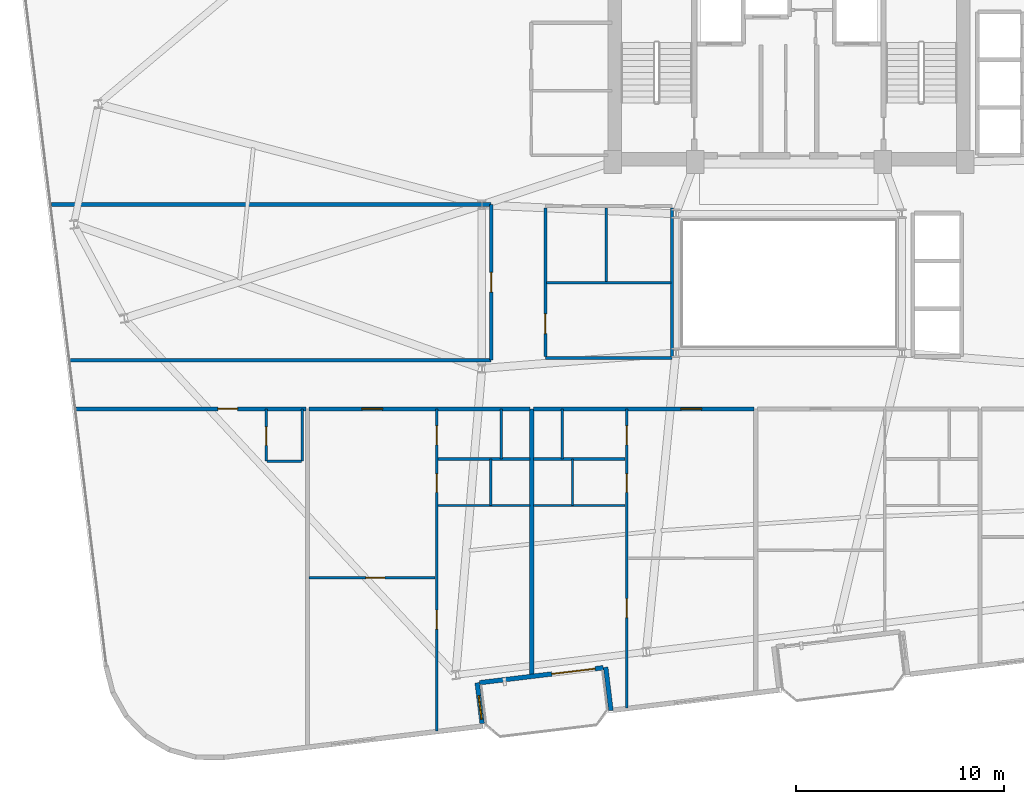
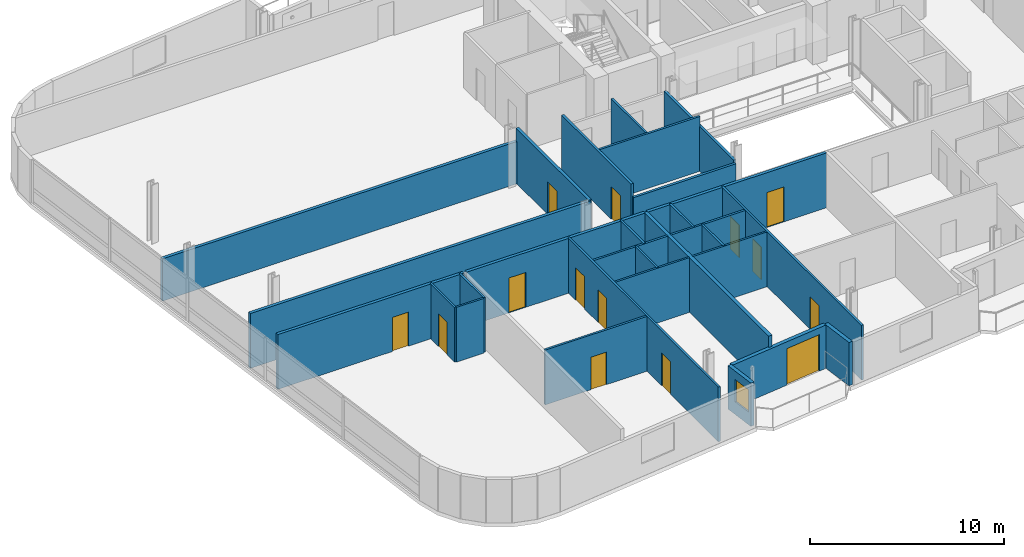
# One storey, part 14 of 23: 29 walls, 14 doors, 1 window, 15 openings.
"""IFC4 building model written with IfcOpenShell, lengths in metres."""

from ifc_helpers import new_model, si_unit, direction, frame, frame_2d, origin, place, context, subcontext, project, spatial, rectangle, extrude, material, layer, layer_set, type_object, element, fill, save


model = new_model("IFC4")

# Units and contexts
model_context = context("Model", 3, precision=1e-05, world=origin(), true_north=direction((0.0, 1.0)))
body_context = subcontext(model_context, "Body", "Model", "MODEL_VIEW")
ifc_project = project(units=[si_unit("LENGTHUNIT", "METRE"), si_unit("AREAUNIT", "SQUARE_METRE"), si_unit("VOLUMEUNIT", "CUBIC_METRE"), si_unit("PLANEANGLEUNIT", "RADIAN"), si_unit("MASSUNIT", "GRAM", prefix="KILO")], contexts=[model_context])

# Site, building, storey
site_placement = place(None, origin())
site = spatial("IfcSite", under=ifc_project, at=site_placement, CompositionType="ELEMENT")
building_placement = place(site_placement, origin())
building = spatial("IfcBuilding", under=site, at=building_placement, Name="Varnelok Gate Tower", CompositionType="ELEMENT")
storey_placement = place(building_placement, frame((0.0, 0.0, 174.60009765625)))
storey = spatial("IfcBuildingStorey", under=building, at=storey_placement, Name="L44", CompositionType="ELEMENT", Elevation=174.60009765625)

# Wall, opening, door
ifc_material_1 = material(Name="Concrete C45/55", Category="concrete")
ifc_layer_1 = layer(ifc_material_1, 0.219970703125)
ifc_layer_set_1 = layer_set([ifc_layer_1], Name="Concrete C45/55")
wall_type_1 = type_object("IfcWallType", Name="EW-BALC-220", PredefinedType="SOLIDWALL", material=ifc_layer_set_1)
wall_1_placement = place(storey_placement, frame((30.25244140625, 4.381103515625, 0.0), z_axis=(0.0, 0.0, 1.0), x_axis=(-0.992735402148, -0.120318000826, 0.0)))
wall_1 = element("IfcWall", 1, at=wall_1_placement, inside=storey, type_object=wall_type_1, Name="L44 South Terrace Envelope Wall 1", PredefinedType="SOLIDWALL", context=body_context, shape_type="SweptSolid", body=[
    extrude(rectangle(XDim=6.000244140625, YDim=0.219970703125, at=frame_2d((3.0, 0.0))), origin(), (0.0, 0.0, 1.0), 2.72998046875),
])
opening_1_placement = place(wall_1_placement, frame((0.39990234375, 0.0, 0.0)))
opening_1 = element("IfcOpeningElement", 2, at=opening_1_placement, cuts=wall_1, Name="Opening BD-2", PredefinedType="OPENING", context=body_context, shape_type="SweptSolid", body=[
    extrude(rectangle(XDim=2.10009765625, YDim=2.300048828125, at=frame_2d((1.050048828125, 1.14990234375))), frame((0.0, 0.119873046875, 0.0), z_axis=(0.0, -1.0, 0.0), x_axis=(1.0, 0.0, 0.0)), (0.0, 0.0, 1.0), 0.239990234375),
])
ifc_material_2 = material(Name="Anodized Aluminum Alloy 6063-T6", Category="aluminium")
door_type_1 = type_object("IfcDoorType", Name="DR-EXT-SLID2100", OperationType="SLIDING_TO_LEFT", PredefinedType="DOOR", material=ifc_material_2)
door_1_placement = place(opening_1_placement, origin())
door_1 = element("IfcDoor", 3, at=door_1_placement, inside=storey, type_object=door_type_1, Name="L44 South Balcony Glazed Door 1", OperationType="SLIDING_TO_LEFT", OverallHeight=2.300048828125, OverallWidth=2.10009765625, PredefinedType="DOOR", context=body_context, shape_type="SweptSolid", body=[
    extrude(rectangle(XDim=2.10009765625, YDim=2.300048828125, at=frame_2d((1.050048828125, 1.14990234375))), frame((0.0, 0.02490234375, 0.0), z_axis=(0.0, -1.0, 0.0), x_axis=(1.0, 0.0, 0.0)), (0.0, 0.0, 1.0), 0.050048828125),
])
fill(opening_1, door_1)

# Wall, opening, window
wall_2_placement = place(storey_placement, frame((24.413330078125, 1.694091796875, 0.0), z_axis=(0.0, 0.0, 1.0), x_axis=(-0.120290754542, 0.992738703976, 0.0)))
wall_2 = element("IfcWall", 4, at=wall_2_placement, inside=storey, type_object=wall_type_1, Name="L44 Perimeter Facade Closure Wall 8", PredefinedType="SOLIDWALL", context=body_context, shape_type="SweptSolid", body=[
    extrude(rectangle(XDim=1.974853515625, YDim=0.219970703125, at=frame_2d((0.9873046875, 0.0))), origin(), (0.0, 0.0, 1.0), 2.72998046875),
])
opening_2_placement = place(wall_2_placement, frame((0.199951171875, 0.0, 0.800048828125)))
opening_2 = element("IfcOpeningElement", 5, at=opening_2_placement, cuts=wall_2, Name="Opening WN8", PredefinedType="OPENING", context=body_context, shape_type="SweptSolid", body=[
    extrude(rectangle(XDim=1.14990234375, YDim=1.39990234375, at=frame_2d((0.574951171875, 0.699951171875))), frame((0.0, 0.119873046875, 0.0), z_axis=(0.0, -1.0, 0.0), x_axis=(1.0, 0.0, 0.0)), (0.0, 0.0, 1.0), 0.239990234375),
])
ifc_material_3 = material(Name="Low-E Laminated Double Glazing IGU", Category="glass")
window_type = type_object("IfcWindowType", Name="WN-BED-1150", PartitioningType="SINGLE_PANEL", PredefinedType="WINDOW", material=ifc_material_3)
window_placement = place(opening_2_placement, origin())
window = element("IfcWindow", 6, at=window_placement, inside=storey, type_object=window_type, Name="L44 Bedroom Vision Window 23", OverallHeight=1.39990234375, OverallWidth=1.14990234375, PartitioningType="SINGLE_PANEL", PredefinedType="WINDOW", context=body_context, shape_type="SweptSolid", body=[
    extrude(rectangle(XDim=1.14990234375, YDim=1.39990234375, at=frame_2d((0.574951171875, 0.699951171875))), frame((0.0, 0.030029296875, 0.0), z_axis=(0.0, -1.0, 0.0), x_axis=(1.0, 0.0, 0.0)), (0.0, 0.0, 1.0), 0.06005859375),
])
fill(opening_2, window)

# Wall
wall_3_placement = place(storey_placement, frame((30.370361328125, 4.405517578125, 0.0), z_axis=(0.0, 0.0, 1.0), x_axis=(0.120327895535, -0.992734202874, 0.0)))
element("IfcWall", 7, at=wall_3_placement, inside=storey, type_object=wall_type_1, Name="L44 Perimeter Facade Closure Wall 9", PredefinedType="SOLIDWALL", context=body_context, shape_type="SweptSolid", body=[
    extrude(rectangle(XDim=2.099853515625, YDim=0.219970703125, at=frame_2d((1.0498046875, 0.0))), origin(), (0.0, 0.0, 1.0), 2.72998046875),
])

# Wall, opening, door
ifc_material_4 = material(Name="Gypsum Plasterboard Acoustic Partition", Category="gypsum")
ifc_layer_2 = layer(ifc_material_4, 0.179931640625)
ifc_layer_set_2 = layer_set([ifc_layer_2], Name="Gypsum Plasterboard Acoustic Partition")
wall_type_2 = type_object("IfcWallType", Name="PW-CORR-180", PredefinedType="PARTITIONING", material=ifc_layer_set_2)
wall_4_placement = place(storey_placement, frame((4.846923828125, 16.85009765625, 0.0), z_axis=(0.0, 0.0, 1.0), x_axis=(1.0, 0.0, 0.0)))
wall_4 = element("IfcWall", 8, at=wall_4_placement, inside=storey, type_object=wall_type_2, Name="Interior Partition", PredefinedType="PARTITIONING", context=body_context, shape_type="SweptSolid", body=[
    extrude(rectangle(XDim=11.072998046875, YDim=0.179931640625, at=frame_2d((5.53662109375, 0.0))), origin(), (0.0, 0.0, 1.0), 3.449951171875),
])
opening_3_placement = place(wall_4_placement, frame((6.8330078125, 0.0, 0.0)))
opening_3 = element("IfcOpeningElement", 9, at=opening_3_placement, cuts=wall_4, Name="Opening D-HT", PredefinedType="OPENING", context=body_context, shape_type="SweptSolid", body=[
    extrude(rectangle(XDim=0.949951171875, YDim=2.14990234375, at=frame_2d((0.47509765625, 1.074951171875))), frame((0.0, 0.099853515625, 0.0), z_axis=(0.0, -1.0, 0.0), x_axis=(1.0, 0.0, 0.0)), (0.0, 0.0, 1.0), 0.199951171875),
])
ifc_material_5 = material(Name="Engineered Hardwood Timber", Category="wood")
door_type_2 = type_object("IfcDoorType", Name="DR-HTL-950", OperationType="NOTDEFINED", PredefinedType="DOOR", material=ifc_material_5)
door_2_placement = place(opening_3_placement, origin())
door_2 = element("IfcDoor", 10, at=door_2_placement, inside=storey, type_object=door_type_2, Name="L44 Guest Room 01 Entrance Door", OperationType="SINGLE_SWING_RIGHT", OverallHeight=2.14990234375, OverallWidth=0.949951171875, PredefinedType="DOOR", context=body_context, shape_type="SweptSolid", body=[
    extrude(rectangle(XDim=0.949951171875, YDim=2.14990234375, at=frame_2d((0.47509765625, 1.074951171875))), frame((0.0, 0.02490234375, 0.0), z_axis=(0.0, -1.0, 0.0), x_axis=(1.0, 0.0, 0.0)), (0.0, 0.0, 1.0), 0.050048828125),
])
fill(opening_3, door_2)

wall_5_placement = place(storey_placement, frame((16.080078125, 16.85009765625, 0.0), z_axis=(0.0, 0.0, 1.0), x_axis=(1.0, 0.0, 0.0)))
wall_5 = element("IfcWall", 11, at=wall_5_placement, inside=storey, type_object=wall_type_2, Name="Interior Partition", PredefinedType="PARTITIONING", context=body_context, shape_type="SweptSolid", body=[
    extrude(rectangle(XDim=10.639892578125, YDim=0.179931640625, at=frame_2d((5.31982421875, 0.0))), origin(), (0.0, 0.0, 1.0), 3.449951171875),
])
opening_4_placement = place(wall_5_placement, frame((2.53466796875, 0.0, 0.0)))
opening_4 = element("IfcOpeningElement", 12, at=opening_4_placement, cuts=wall_5, Name="Opening D-AP", PredefinedType="OPENING", context=body_context, shape_type="SweptSolid", body=[
    extrude(rectangle(XDim=1.0, YDim=2.199951171875, at=frame_2d((0.5, 1.10009765625))), frame((0.0, 0.099853515625, 0.0), z_axis=(0.0, -1.0, 0.0), x_axis=(1.0, 0.0, 0.0)), (0.0, 0.0, 1.0), 0.199951171875),
])
door_type_3 = type_object("IfcDoorType", Name="DR-APT-1000", OperationType="NOTDEFINED", PredefinedType="DOOR", material=ifc_material_5)
door_3_placement = place(opening_4_placement, origin())
door_3 = element("IfcDoor", 13, at=door_3_placement, inside=storey, type_object=door_type_3, Name="L44 Apartment 2 Entrance Door", OperationType="SINGLE_SWING_LEFT", OverallHeight=2.199951171875, OverallWidth=1.0, PredefinedType="DOOR", context=body_context, shape_type="SweptSolid", body=[
    extrude(rectangle(XDim=1.0, YDim=2.199951171875, at=frame_2d((0.5, 1.10009765625))), frame((0.0, 0.02490234375, 0.0), z_axis=(0.0, -1.0, 0.0), x_axis=(1.0, 0.0, 0.0)), (0.0, 0.0, 1.0), 0.050048828125),
])
fill(opening_4, door_3)

wall_6_placement = place(storey_placement, frame((26.8798828125, 16.85009765625, 0.0), z_axis=(0.0, 0.0, 1.0), x_axis=(1.0, 0.0, 0.0)))
wall_6 = element("IfcWall", 14, at=wall_6_placement, inside=storey, type_object=wall_type_2, Name="Interior Partition", PredefinedType="PARTITIONING", context=body_context, shape_type="SweptSolid", body=[
    extrude(rectangle(XDim=10.64013671875, YDim=0.179931640625, at=frame_2d((5.320068359375, 0.0))), origin(), (0.0, 0.0, 1.0), 3.449951171875),
])
opening_5_placement = place(wall_6_placement, frame((7.10546875, 0.0, 0.0)))
opening_5 = element("IfcOpeningElement", 15, at=opening_5_placement, cuts=wall_6, Name="Opening D-AP", PredefinedType="OPENING", context=body_context, shape_type="SweptSolid", body=[
    extrude(rectangle(XDim=1.0, YDim=2.199951171875, at=frame_2d((0.5, 1.10009765625))), frame((0.0, 0.099853515625, 0.0), z_axis=(0.0, -1.0, 0.0), x_axis=(1.0, 0.0, 0.0)), (0.0, 0.0, 1.0), 0.199951171875),
])
door_4_placement = place(opening_5_placement, origin())
door_4 = element("IfcDoor", 16, at=door_4_placement, inside=storey, type_object=door_type_3, Name="L44 Apartment 3 Entrance Door", OperationType="SINGLE_SWING_RIGHT", OverallHeight=2.199951171875, OverallWidth=1.0, PredefinedType="DOOR", context=body_context, shape_type="SweptSolid", body=[
    extrude(rectangle(XDim=1.0, YDim=2.199951171875, at=frame_2d((0.5, 1.10009765625))), frame((0.0, 0.02490234375, 0.0), z_axis=(0.0, -1.0, 0.0), x_axis=(1.0, 0.0, 0.0)), (0.0, 0.0, 1.0), 0.050048828125),
])
fill(opening_5, door_4)

wall_7_placement = place(storey_placement, frame((24.85009765625, 19.199951171875, 0.0), z_axis=(0.0, 0.0, 1.0), x_axis=(0.0, 1.0, 0.0)))
wall_7 = element("IfcWall", 17, at=wall_7_placement, inside=storey, type_object=wall_type_2, Name="Interior Partition", PredefinedType="PARTITIONING", context=body_context, shape_type="SweptSolid", body=[
    extrude(rectangle(XDim=7.5, YDim=0.179931640625, at=frame_2d((3.75, 0.0))), origin(), (0.0, 0.0, 1.0), 3.449951171875),
])
opening_6_placement = place(wall_7_placement, frame((3.27490234375, 0.0, 0.0)))
opening_6 = element("IfcOpeningElement", 18, at=opening_6_placement, cuts=wall_7, Name="Opening D-I2", PredefinedType="OPENING", context=body_context, shape_type="SweptSolid", body=[
    extrude(rectangle(XDim=0.949951171875, YDim=2.050048828125, at=frame_2d((0.47509765625, 1.02490234375))), frame((0.0, 0.099853515625, 0.0), z_axis=(0.0, -1.0, 0.0), x_axis=(1.0, 0.0, 0.0)), (0.0, 0.0, 1.0), 0.199951171875),
])
door_type_4 = type_object("IfcDoorType", Name="DR-INT-950", OperationType="NOTDEFINED", PredefinedType="DOOR", material=ifc_material_5)
door_5_placement = place(opening_6_placement, origin())
door_5 = element("IfcDoor", 19, at=door_5_placement, inside=storey, type_object=door_type_4, Name="L44 West Flank Room Door", OperationType="SINGLE_SWING_LEFT", OverallHeight=2.050048828125, OverallWidth=0.949951171875, PredefinedType="DOOR", context=body_context, shape_type="SweptSolid", body=[
    extrude(rectangle(XDim=0.949951171875, YDim=2.050048828125, at=frame_2d((0.47509765625, 1.02490234375))), frame((0.0, 0.02490234375, 0.0), z_axis=(0.0, -1.0, 0.0), x_axis=(1.0, 0.0, 0.0)), (0.0, 0.0, 1.0), 0.050048828125),
])
fill(opening_6, door_5)

# Walls
wall_8_placement = place(storey_placement, frame((4.56201171875, 19.199951171875, 0.0), z_axis=(0.0, 0.0, 1.0), x_axis=(1.0, 0.0, 0.0)))
element("IfcWall", 20, at=wall_8_placement, inside=storey, type_object=wall_type_2, Name="Interior Partition", PredefinedType="PARTITIONING", context=body_context, shape_type="SweptSolid", body=[
    extrude(rectangle(XDim=20.2880859375, YDim=0.179931640625, at=frame_2d((10.14404296875, 0.0))), origin(), (0.0, 0.0, 1.0), 3.449951171875),
])
wall_9_placement = place(storey_placement, frame((3.65283203125, 26.699951171875, 0.0), z_axis=(0.0, 0.0, 1.0), x_axis=(1.0, 0.0, 0.0)))
element("IfcWall", 21, at=wall_9_placement, inside=storey, type_object=wall_type_2, Name="Interior Partition", PredefinedType="PARTITIONING", context=body_context, shape_type="SweptSolid", body=[
    extrude(rectangle(XDim=21.197265625, YDim=0.179931640625, at=frame_2d((10.5986328125, 0.0))), origin(), (0.0, 0.0, 1.0), 2.661865234375),
])
ifc_layer_3 = layer(ifc_material_4, 0.114990234375)
ifc_layer_set_3 = layer_set([ifc_layer_3], Name="Gypsum Plasterboard Acoustic Partition")
wall_type_3 = type_object("IfcWallType", Name="PW-ENS-125", PredefinedType="PARTITIONING", material=ifc_layer_set_3)
wall_10_placement = place(storey_placement, frame((14.050048828125, 14.330078125, 0.0), z_axis=(0.0, 0.0, 1.0), x_axis=(1.0, 0.0, 0.0)))
element("IfcWall", 22, at=wall_10_placement, inside=storey, type_object=wall_type_3, Name="Interior Partition", PredefinedType="PARTITIONING", context=body_context, shape_type="SweptSolid", body=[
    extrude(rectangle(XDim=1.64990234375, YDim=0.114990234375, at=frame_2d((0.824951171875, 0.0))), origin(), (0.0, 0.0, 1.0), 3.449951171875),
])

# Wall, opening, door
wall_11_placement = place(storey_placement, frame((14.010009765625, 14.330078125, 0.0), z_axis=(0.0, 0.0, 1.0), x_axis=(0.0, 1.0, 0.0)))
wall_11 = element("IfcWall", 23, at=wall_11_placement, inside=storey, type_object=wall_type_3, Name="Interior Partition", PredefinedType="PARTITIONING", context=body_context, shape_type="SweptSolid", body=[
    extrude(rectangle(XDim=2.52001953125, YDim=0.114990234375, at=frame_2d((1.260009765625, 0.0))), origin(), (0.0, 0.0, 1.0), 3.449951171875),
])
opening_7_placement = place(wall_11_placement, frame((0.760009765625, 0.0, 0.0)))
opening_7 = element("IfcOpeningElement", 24, at=opening_7_placement, cuts=wall_11, Name="Opening D-WC", PredefinedType="OPENING", context=body_context, shape_type="SweptSolid", body=[
    extrude(rectangle(XDim=0.89990234375, YDim=2.050048828125, at=frame_2d((0.449951171875, 1.02490234375))), frame((0.0, 0.0673828125, 0.0), z_axis=(0.0, -1.0, 0.0), x_axis=(1.0, 0.0, 0.0)), (0.0, 0.0, 1.0), 0.135009765625),
])
door_type_5 = type_object("IfcDoorType", Name="DR-BATH-900", OperationType="NOTDEFINED", PredefinedType="DOOR", material=ifc_material_5)
door_6_placement = place(opening_7_placement, origin())
door_6 = element("IfcDoor", 25, at=door_6_placement, inside=storey, type_object=door_type_5, Name="L44 Guest En-Suite 01 Door", OperationType="SINGLE_SWING_RIGHT", OverallHeight=2.050048828125, OverallWidth=0.89990234375, PredefinedType="DOOR", context=body_context, shape_type="SweptSolid", body=[
    extrude(rectangle(XDim=0.89990234375, YDim=2.050048828125, at=frame_2d((0.449951171875, 1.02490234375))), frame((0.0, 0.02490234375, 0.0), z_axis=(0.0, -1.0, 0.0), x_axis=(1.0, 0.0, 0.0)), (0.0, 0.0, 1.0), 0.050048828125),
])
fill(opening_7, door_6)

# Walls
wall_12_placement = place(storey_placement, frame((15.739990234375, 14.330078125, 0.0), z_axis=(0.0, 0.0, 1.0), x_axis=(0.0, 1.0, 0.0)))
element("IfcWall", 26, at=wall_12_placement, inside=storey, type_object=wall_type_3, Name="Interior Partition", PredefinedType="PARTITIONING", context=body_context, shape_type="SweptSolid", body=[
    extrude(rectangle(XDim=2.52001953125, YDim=0.114990234375, at=frame_2d((1.260009765625, 0.0))), origin(), (0.0, 0.0, 1.0), 3.449951171875),
])
wall_13_placement = place(storey_placement, frame((22.289306640625, 12.199951171875, 0.0), z_axis=(0.0, 0.0, 1.0), x_axis=(1.0, 0.0, 0.0)))
element("IfcWall", 27, at=wall_13_placement, inside=storey, type_object=wall_type_3, Name="Interior Partition", PredefinedType="PARTITIONING", context=body_context, shape_type="SweptSolid", body=[
    extrude(rectangle(XDim=4.4306640625, YDim=0.114990234375, at=frame_2d((2.21533203125, 0.0))), origin(), (0.0, 0.0, 1.0), 3.449951171875),
])
wall_14_placement = place(storey_placement, frame((24.8291015625, 12.199951171875, 0.0), z_axis=(0.0, 0.0, 1.0), x_axis=(0.0, 1.0, 0.0)))
element("IfcWall", 28, at=wall_14_placement, inside=storey, type_object=wall_type_3, Name="Interior Partition", PredefinedType="PARTITIONING", context=body_context, shape_type="SweptSolid", body=[
    extrude(rectangle(XDim=2.239990234375, YDim=0.114990234375, at=frame_2d((1.1201171875, 0.0))), origin(), (0.0, 0.0, 1.0), 3.449951171875),
])
wall_15_placement = place(storey_placement, frame((26.8798828125, 12.199951171875, 0.0), z_axis=(0.0, 0.0, 1.0), x_axis=(1.0, 0.0, 0.0)))
element("IfcWall", 29, at=wall_15_placement, inside=storey, type_object=wall_type_3, Name="Interior Partition", PredefinedType="PARTITIONING", context=body_context, shape_type="SweptSolid", body=[
    extrude(rectangle(XDim=4.430908203125, YDim=0.114990234375, at=frame_2d((2.21533203125, 0.0))), origin(), (0.0, 0.0, 1.0), 3.449951171875),
])
wall_16_placement = place(storey_placement, frame((28.770751953125, 12.199951171875, 0.0), z_axis=(0.0, 0.0, 1.0), x_axis=(0.0, 1.0, 0.0)))
element("IfcWall", 30, at=wall_16_placement, inside=storey, type_object=wall_type_3, Name="Interior Partition", PredefinedType="PARTITIONING", context=body_context, shape_type="SweptSolid", body=[
    extrude(rectangle(XDim=2.239990234375, YDim=0.114990234375, at=frame_2d((1.1201171875, 0.0))), origin(), (0.0, 0.0, 1.0), 3.449951171875),
])

# Wall, opening, door
ifc_layer_4 = layer(ifc_material_4, 0.125)
ifc_layer_set_4 = layer_set([ifc_layer_4], Name="Gypsum Plasterboard Acoustic Partition")
wall_type_4 = type_object("IfcWallType", Name="PW-PART-125", PredefinedType="PARTITIONING", material=ifc_layer_set_4)
wall_17_placement = place(storey_placement, frame((16.080078125, 8.72412109375, 0.0), z_axis=(0.0, 0.0, 1.0), x_axis=(1.0, 0.0, 0.0)))
wall_17 = element("IfcWall", 31, at=wall_17_placement, inside=storey, type_object=wall_type_4, Name="Interior Partition", PredefinedType="PARTITIONING", context=body_context, shape_type="SweptSolid", body=[
    extrude(rectangle(XDim=6.069091796875, YDim=0.125, at=frame_2d((3.03466796875, 0.0))), origin(), (0.0, 0.0, 1.0), 3.449951171875),
])
opening_8_placement = place(wall_17_placement, frame((2.731201171875, 0.0, 0.0)))
opening_8 = element("IfcOpeningElement", 32, at=opening_8_placement, cuts=wall_17, Name="Opening D-I3", PredefinedType="OPENING", context=body_context, shape_type="SweptSolid", body=[
    extrude(rectangle(XDim=0.919921875, YDim=2.050048828125, at=frame_2d((0.4599609375, 1.02490234375))), frame((0.0, 0.072509765625, 0.0), z_axis=(0.0, -1.0, 0.0), x_axis=(1.0, 0.0, 0.0)), (0.0, 0.0, 1.0), 0.14501953125),
])
door_type_6 = type_object("IfcDoorType", Name="DR-INT-920", OperationType="NOTDEFINED", PredefinedType="DOOR", material=ifc_material_5)
door_7_placement = place(opening_8_placement, origin())
door_7 = element("IfcDoor", 33, at=door_7_placement, inside=storey, type_object=door_type_6, Name="L44 Apartment 2 Study Door", OperationType="SINGLE_SWING_LEFT", OverallHeight=2.050048828125, OverallWidth=0.919921875, PredefinedType="DOOR", context=body_context, shape_type="SweptSolid", body=[
    extrude(rectangle(XDim=0.919921875, YDim=2.050048828125, at=frame_2d((0.4599609375, 1.02490234375))), frame((0.0, 0.02490234375, 0.0), z_axis=(0.0, -1.0, 0.0), x_axis=(1.0, 0.0, 0.0)), (0.0, 0.0, 1.0), 0.050048828125),
])
fill(opening_8, door_7)

# Wall, openings, doors
wall_18_placement = place(storey_placement, frame((22.21923828125, 1.322265625, 0.0), z_axis=(0.0, 0.0, 1.0), x_axis=(0.0, 1.0, 0.0)))
wall_18 = element("IfcWall", 34, at=wall_18_placement, inside=storey, type_object=wall_type_4, Name="Interior Partition", PredefinedType="PARTITIONING", context=body_context, shape_type="SweptSolid", body=[
    extrude(rectangle(XDim=15.52783203125, YDim=0.125, at=frame_2d((7.763916015625, 0.0))), origin(), (0.0, 0.0, 1.0), 3.449951171875),
])
opening_9_placement = place(wall_18_placement, frame((4.9189453125, 0.0, 0.0)))
opening_9 = element("IfcOpeningElement", 35, at=opening_9_placement, cuts=wall_18, Name="Opening D-I3", PredefinedType="OPENING", context=body_context, shape_type="SweptSolid", body=[
    extrude(rectangle(XDim=0.919921875, YDim=2.050048828125, at=frame_2d((0.4599609375, 1.02490234375))), frame((0.0, 0.072509765625, 0.0), z_axis=(0.0, -1.0, 0.0), x_axis=(1.0, 0.0, 0.0)), (0.0, 0.0, 1.0), 0.14501953125),
])
opening_10_placement = place(wall_18_placement, frame((11.505126953125, 0.0, 0.0)))
opening_10 = element("IfcOpeningElement", 36, at=opening_10_placement, cuts=wall_18, Name="Opening D-WC", PredefinedType="OPENING", context=body_context, shape_type="SweptSolid", body=[
    extrude(rectangle(XDim=0.89990234375, YDim=2.050048828125, at=frame_2d((0.449951171875, 1.02490234375))), frame((0.0, 0.072509765625, 0.0), z_axis=(0.0, -1.0, 0.0), x_axis=(1.0, 0.0, 0.0)), (0.0, 0.0, 1.0), 0.14501953125),
])
opening_11_placement = place(wall_18_placement, frame((13.7978515625, 0.0, 0.0)))
opening_11 = element("IfcOpeningElement", 37, at=opening_11_placement, cuts=wall_18, Name="Opening D-I3", PredefinedType="OPENING", context=body_context, shape_type="SweptSolid", body=[
    extrude(rectangle(XDim=0.919921875, YDim=2.050048828125, at=frame_2d((0.4599609375, 1.02490234375))), frame((0.0, 0.072509765625, 0.0), z_axis=(0.0, -1.0, 0.0), x_axis=(1.0, 0.0, 0.0)), (0.0, 0.0, 1.0), 0.14501953125),
])
door_8_placement = place(opening_10_placement, origin())
door_8 = element("IfcDoor", 38, at=door_8_placement, inside=storey, type_object=door_type_5, Name="L44 Apartment 2 Bathroom Door", OperationType="SINGLE_SWING_LEFT", OverallHeight=2.050048828125, OverallWidth=0.89990234375, PredefinedType="DOOR", context=body_context, shape_type="SweptSolid", body=[
    extrude(rectangle(XDim=0.89990234375, YDim=2.050048828125, at=frame_2d((0.449951171875, 1.02490234375))), frame((0.0, 0.02490234375, 0.0), z_axis=(0.0, -1.0, 0.0), x_axis=(1.0, 0.0, 0.0)), (0.0, 0.0, 1.0), 0.050048828125),
])
fill(opening_10, door_8)
door_9_placement = place(opening_9_placement, origin())
door_9 = element("IfcDoor", 39, at=door_9_placement, inside=storey, type_object=door_type_6, Name="L44 Apartment 2 Bedroom Door", OperationType="SINGLE_SWING_RIGHT", OverallHeight=2.050048828125, OverallWidth=0.919921875, PredefinedType="DOOR", context=body_context, shape_type="SweptSolid", body=[
    extrude(rectangle(XDim=0.919921875, YDim=2.050048828125, at=frame_2d((0.4599609375, 1.02490234375))), frame((0.0, 0.02490234375, 0.0), z_axis=(0.0, -1.0, 0.0), x_axis=(1.0, 0.0, 0.0)), (0.0, 0.0, 1.0), 0.050048828125),
])
fill(opening_9, door_9)
door_10_placement = place(opening_11_placement, origin())
door_10 = element("IfcDoor", 40, at=door_10_placement, inside=storey, type_object=door_type_6, Name="L44 Apartment 2 Kitchen Door", OperationType="SINGLE_SWING_RIGHT", OverallHeight=2.050048828125, OverallWidth=0.919921875, PredefinedType="DOOR", context=body_context, shape_type="SweptSolid", body=[
    extrude(rectangle(XDim=0.919921875, YDim=2.050048828125, at=frame_2d((0.4599609375, 1.02490234375))), frame((0.0, 0.02490234375, 0.0), z_axis=(0.0, -1.0, 0.0), x_axis=(1.0, 0.0, 0.0)), (0.0, 0.0, 1.0), 0.050048828125),
])
fill(opening_11, door_10)

# Walls
wall_19_placement = place(storey_placement, frame((22.289306640625, 14.43994140625, 0.0), z_axis=(0.0, 0.0, 1.0), x_axis=(1.0, 0.0, 0.0)))
element("IfcWall", 41, at=wall_19_placement, inside=storey, type_object=wall_type_4, Name="Interior Partition", PredefinedType="PARTITIONING", context=body_context, shape_type="SweptSolid", body=[
    extrude(rectangle(XDim=4.4306640625, YDim=0.125, at=frame_2d((2.21533203125, 0.0))), origin(), (0.0, 0.0, 1.0), 3.449951171875),
])
wall_20_placement = place(storey_placement, frame((25.3291015625, 14.43994140625, 0.0), z_axis=(0.0, 0.0, 1.0), x_axis=(0.0, 1.0, 0.0)))
element("IfcWall", 42, at=wall_20_placement, inside=storey, type_object=wall_type_4, Name="Interior Partition", PredefinedType="PARTITIONING", context=body_context, shape_type="SweptSolid", body=[
    extrude(rectangle(XDim=2.41015625, YDim=0.125, at=frame_2d((1.205078125, 0.0))), origin(), (0.0, 0.0, 1.0), 3.449951171875),
])

# Wall, openings, doors
wall_21_placement = place(storey_placement, frame((31.380859375, 2.432861328125, 0.0), z_axis=(0.0, 0.0, 1.0), x_axis=(0.0, 1.0, 0.0)))
wall_21 = element("IfcWall", 43, at=wall_21_placement, inside=storey, type_object=wall_type_4, Name="Interior Partition", PredefinedType="PARTITIONING", context=body_context, shape_type="SweptSolid", body=[
    extrude(rectangle(XDim=14.417236328125, YDim=0.125, at=frame_2d((7.20849609375, 0.0))), origin(), (0.0, 0.0, 1.0), 3.449951171875),
])
opening_12_placement = place(wall_21_placement, frame((4.363525390625, 0.0, 0.0)))
opening_12 = element("IfcOpeningElement", 44, at=opening_12_placement, cuts=wall_21, Name="Opening D-I3", PredefinedType="OPENING", context=body_context, shape_type="SweptSolid", body=[
    extrude(rectangle(XDim=0.919921875, YDim=2.050048828125, at=frame_2d((0.4599609375, 1.02490234375))), frame((0.0, 0.072509765625, 0.0), z_axis=(0.0, -1.0, 0.0), x_axis=(1.0, 0.0, 0.0)), (0.0, 0.0, 1.0), 0.14501953125),
])
opening_13_placement = place(wall_21_placement, frame((10.39453125, 0.0, 0.0)))
opening_13 = element("IfcOpeningElement", 45, at=opening_13_placement, cuts=wall_21, Name="Opening D-WC", PredefinedType="OPENING", context=body_context, shape_type="SweptSolid", body=[
    extrude(rectangle(XDim=0.89990234375, YDim=2.050048828125, at=frame_2d((0.449951171875, 1.02490234375))), frame((0.0, 0.072509765625, 0.0), z_axis=(0.0, -1.0, 0.0), x_axis=(1.0, 0.0, 0.0)), (0.0, 0.0, 1.0), 0.14501953125),
])
opening_14_placement = place(wall_21_placement, frame((12.687255859375, 0.0, 0.0)))
opening_14 = element("IfcOpeningElement", 46, at=opening_14_placement, cuts=wall_21, Name="Opening D-I3", PredefinedType="OPENING", context=body_context, shape_type="SweptSolid", body=[
    extrude(rectangle(XDim=0.919921875, YDim=2.050048828125, at=frame_2d((0.4599609375, 1.02490234375))), frame((0.0, 0.072509765625, 0.0), z_axis=(0.0, -1.0, 0.0), x_axis=(1.0, 0.0, 0.0)), (0.0, 0.0, 1.0), 0.14501953125),
])
door_11_placement = place(opening_13_placement, origin())
door_11 = element("IfcDoor", 47, at=door_11_placement, inside=storey, type_object=door_type_5, Name="L44 Apartment 3 Bathroom Door", OperationType="SINGLE_SWING_LEFT", OverallHeight=2.050048828125, OverallWidth=0.89990234375, PredefinedType="DOOR", context=body_context, shape_type="SweptSolid", body=[
    extrude(rectangle(XDim=0.89990234375, YDim=2.050048828125, at=frame_2d((0.449951171875, 1.02490234375))), frame((0.0, 0.02490234375, 0.0), z_axis=(0.0, -1.0, 0.0), x_axis=(1.0, 0.0, 0.0)), (0.0, 0.0, 1.0), 0.050048828125),
])
fill(opening_13, door_11)
door_12_placement = place(opening_12_placement, origin())
door_12 = element("IfcDoor", 48, at=door_12_placement, inside=storey, type_object=door_type_6, Name="L44 Apartment 3 Bedroom Door", OperationType="SINGLE_SWING_RIGHT", OverallHeight=2.050048828125, OverallWidth=0.919921875, PredefinedType="DOOR", context=body_context, shape_type="SweptSolid", body=[
    extrude(rectangle(XDim=0.919921875, YDim=2.050048828125, at=frame_2d((0.4599609375, 1.02490234375))), frame((0.0, 0.02490234375, 0.0), z_axis=(0.0, -1.0, 0.0), x_axis=(1.0, 0.0, 0.0)), (0.0, 0.0, 1.0), 0.050048828125),
])
fill(opening_12, door_12)
door_13_placement = place(opening_14_placement, origin())
door_13 = element("IfcDoor", 49, at=door_13_placement, inside=storey, type_object=door_type_6, Name="L44 Apartment 3 Kitchen Door", OperationType="SINGLE_SWING_RIGHT", OverallHeight=2.050048828125, OverallWidth=0.919921875, PredefinedType="DOOR", context=body_context, shape_type="SweptSolid", body=[
    extrude(rectangle(XDim=0.919921875, YDim=2.050048828125, at=frame_2d((0.4599609375, 1.02490234375))), frame((0.0, 0.02490234375, 0.0), z_axis=(0.0, -1.0, 0.0), x_axis=(1.0, 0.0, 0.0)), (0.0, 0.0, 1.0), 0.050048828125),
])
fill(opening_14, door_13)

# Walls
wall_22_placement = place(storey_placement, frame((26.8798828125, 14.43994140625, 0.0), z_axis=(0.0, 0.0, 1.0), x_axis=(1.0, 0.0, 0.0)))
element("IfcWall", 50, at=wall_22_placement, inside=storey, type_object=wall_type_4, Name="Interior Partition", PredefinedType="PARTITIONING", context=body_context, shape_type="SweptSolid", body=[
    extrude(rectangle(XDim=4.430908203125, YDim=0.125, at=frame_2d((2.21533203125, 0.0))), origin(), (0.0, 0.0, 1.0), 3.449951171875),
])
wall_23_placement = place(storey_placement, frame((28.270751953125, 14.43994140625, 0.0), z_axis=(0.0, 0.0, 1.0), x_axis=(0.0, 1.0, 0.0)))
element("IfcWall", 51, at=wall_23_placement, inside=storey, type_object=wall_type_4, Name="Interior Partition", PredefinedType="PARTITIONING", context=body_context, shape_type="SweptSolid", body=[
    extrude(rectangle(XDim=2.41015625, YDim=0.125, at=frame_2d((1.205078125, 0.0))), origin(), (0.0, 0.0, 1.0), 3.449951171875),
])
wall_24_placement = place(storey_placement, frame((27.52001953125, 22.929931640625, 0.0), z_axis=(0.0, 0.0, 1.0), x_axis=(1.0, 0.0, 0.0)))
element("IfcWall", 52, at=wall_24_placement, inside=storey, type_object=wall_type_4, Name="Interior Partition", PredefinedType="PARTITIONING", context=body_context, shape_type="SweptSolid", body=[
    extrude(rectangle(XDim=6.0, YDim=0.125, at=frame_2d((3.0, 0.0))), origin(), (0.0, 0.0, 1.0), 3.449951171875),
])
wall_25_placement = place(storey_placement, frame((30.39990234375, 23.0, 0.0), z_axis=(0.0, 0.0, 1.0), x_axis=(0.0, 1.0, 0.0)))
element("IfcWall", 53, at=wall_25_placement, inside=storey, type_object=wall_type_4, Name="Interior Partition", PredefinedType="PARTITIONING", context=body_context, shape_type="SweptSolid", body=[
    extrude(rectangle(XDim=3.5400390625, YDim=0.125, at=frame_2d((1.77001953125, 0.0))), origin(), (0.0, 0.0, 1.0), 3.449951171875),
])
ifc_layer_5 = layer(ifc_material_4, 0.14990234375)
ifc_layer_set_5 = layer_set([ifc_layer_5], Name="Gypsum Plasterboard Acoustic Partition")
wall_type_5 = type_object("IfcWallType", Name="PW-PART-150", PredefinedType="PARTITIONING", material=ifc_layer_set_5)
wall_26_placement = place(storey_placement, frame((27.4599609375, 19.300048828125, 0.0), z_axis=(0.0, 0.0, 1.0), x_axis=(1.0, 0.0, 0.0)))
element("IfcWall", 54, at=wall_26_placement, inside=storey, type_object=wall_type_5, Name="Interior Partition", PredefinedType="PARTITIONING", context=body_context, shape_type="SweptSolid", body=[
    extrude(rectangle(XDim=6.10009765625, YDim=0.14990234375, at=frame_2d((3.050048828125, 0.0))), origin(), (0.0, 0.0, 1.0), 2.661865234375),
])

# Wall, opening, door
wall_27_placement = place(storey_placement, frame((27.4599609375, 19.3798828125, 0.0), z_axis=(0.0, 0.0, 1.0), x_axis=(0.0, 1.0, 0.0)))
wall_27 = element("IfcWall", 55, at=wall_27_placement, inside=storey, type_object=wall_type_5, Name="Interior Partition", PredefinedType="PARTITIONING", context=body_context, shape_type="SweptSolid", body=[
    extrude(rectangle(XDim=7.16015625, YDim=0.14990234375, at=frame_2d((3.580078125, 0.0))), origin(), (0.0, 0.0, 1.0), 3.449951171875),
])
opening_15_placement = place(wall_27_placement, frame((1.10009765625, 0.0, 0.0)))
opening_15 = element("IfcOpeningElement", 56, at=opening_15_placement, cuts=wall_27, Name="Opening D-I2", PredefinedType="OPENING", context=body_context, shape_type="SweptSolid", body=[
    extrude(rectangle(XDim=0.949951171875, YDim=2.050048828125, at=frame_2d((0.47509765625, 1.02490234375))), frame((0.0, 0.0849609375, 0.0), z_axis=(0.0, -1.0, 0.0), x_axis=(1.0, 0.0, 0.0)), (0.0, 0.0, 1.0), 0.169921875),
])
door_14_placement = place(opening_15_placement, origin())
door_14 = element("IfcDoor", 57, at=door_14_placement, inside=storey, type_object=door_type_4, Name="L44 Private Owners Horizon Club Door", OperationType="SINGLE_SWING_LEFT", OverallHeight=2.050048828125, OverallWidth=0.949951171875, PredefinedType="DOOR", context=body_context, shape_type="SweptSolid", body=[
    extrude(rectangle(XDim=0.949951171875, YDim=2.050048828125, at=frame_2d((0.47509765625, 1.02490234375))), frame((0.0, 0.02490234375, 0.0), z_axis=(0.0, -1.0, 0.0), x_axis=(1.0, 0.0, 0.0)), (0.0, 0.0, 1.0), 0.050048828125),
])
fill(opening_15, door_14)

# Walls
wall_28_placement = place(storey_placement, frame((33.56005859375, 19.3798828125, 0.0), z_axis=(0.0, 0.0, 1.0), x_axis=(0.0, 1.0, 0.0)))
element("IfcWall", 58, at=wall_28_placement, inside=storey, type_object=wall_type_5, Name="Interior Partition", PredefinedType="PARTITIONING", context=body_context, shape_type="SweptSolid", body=[
    extrude(rectangle(XDim=7.16015625, YDim=0.14990234375, at=frame_2d((3.580078125, 0.0))), origin(), (0.0, 0.0, 1.0), 2.823974609375),
])
ifc_layer_6 = layer(ifc_material_4, 0.205078125)
ifc_layer_set_6 = layer_set([ifc_layer_6], Name="Gypsum Plasterboard Acoustic Partition")
wall_type_6 = type_object("IfcWallType", Name="PW-PARTY-200", PredefinedType="PARTITIONING", material=ifc_layer_set_6)
wall_29_placement = place(storey_placement, frame((26.800048828125, 3.992919921875, 0.0), z_axis=(0.0, 0.0, 1.0), x_axis=(0.0, 1.0, 0.0)))
element("IfcWall", 59, at=wall_29_placement, inside=storey, type_object=wall_type_6, Name="L44 South Party Wall 2", PredefinedType="PARTITIONING", context=body_context, shape_type="SweptSolid", body=[
    extrude(rectangle(XDim=12.857177734375, YDim=0.205078125, at=frame_2d((6.4287109375, 0.0))), origin(), (0.0, 0.0, 1.0), 3.449951171875),
])

save(model, "model.ifc")
